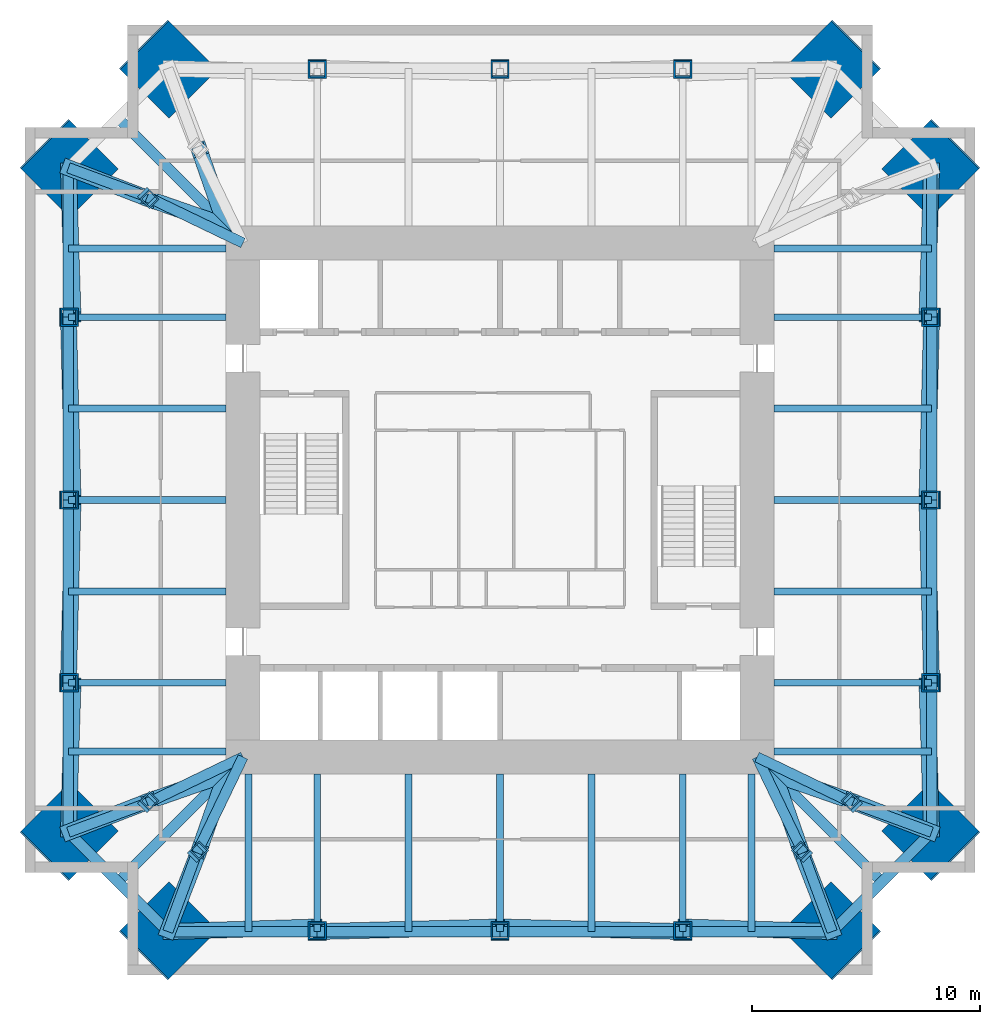
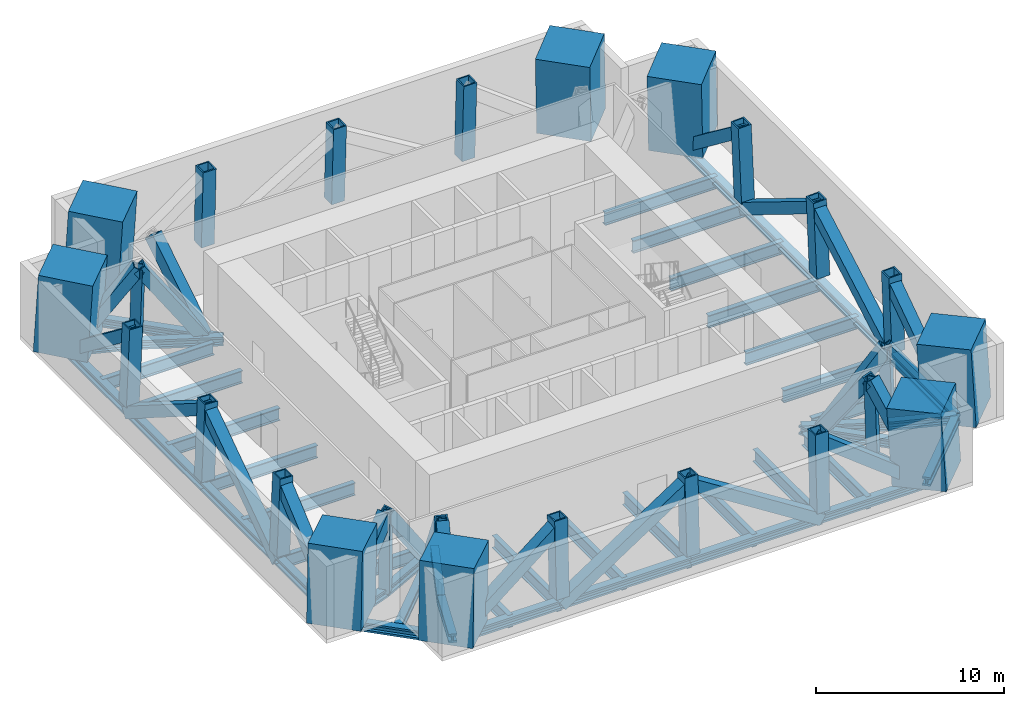
# One storey, part 1 of 6: 50 members, 26 beams, 20 columns.
"""IFC4 building model written with IfcOpenShell, lengths in metres."""

from ifc_helpers import new_model, si_unit, direction, frame, origin, origin_2d, place, context, subcontext, project, spatial, rectangle, hollow_rectangle, i_section, extrude, material, material_profile, profile_set, type_object, element, save


model = new_model("IFC4")

# Units and contexts
model_context = context("Model", 3, precision=1e-05, world=origin(), true_north=direction((0.0, 1.0)))
body_context = subcontext(model_context, "Body", "Model", "MODEL_VIEW")
ifc_project = project(units=[si_unit("LENGTHUNIT", "METRE"), si_unit("AREAUNIT", "SQUARE_METRE"), si_unit("VOLUMEUNIT", "CUBIC_METRE"), si_unit("PLANEANGLEUNIT", "RADIAN"), si_unit("MASSUNIT", "GRAM", prefix="KILO")], contexts=[model_context])

# Site, building, storey
site_placement = place(None, origin())
site = spatial("IfcSite", under=ifc_project, at=site_placement, CompositionType="ELEMENT")
building_placement = place(site_placement, origin())
building = spatial("IfcBuilding", under=site, at=building_placement, Name="Peilmerk Tower", CompositionType="ELEMENT")
storey_placement = place(building_placement, frame((0.0, 0.0, 297.800048828125)))
storey = spatial("IfcBuildingStorey", under=building, at=storey_placement, Name="L67", CompositionType="ELEMENT", Elevation=297.800048828125)

# Columns
ifc_material_1 = material(Name="Concrete C90/105", Category="concrete")
ifc_material_profile_1 = material_profile(ifc_material_1, rectangle(XDim=3.0, YDim=3.0, at=origin_2d()), Name="RC 3000x3000")
ifc_profile_set_1 = profile_set([ifc_material_profile_1], Name="Concrete C90/105")
column_type_1 = type_object("IfcColumnType", Name="MC3 3000x3000 encased mega column", PredefinedType="COLUMN", material=ifc_profile_set_1)
for number, where, z_axis, x_axis, name in (
    (1, (14.538818359375, 18.888671875, 0.0), (-0.040266583883, -0.040266583883, 0.998377285621), (0.707106781187, -0.707106781187, 0.0), "Mega column MC3 NE_N L67"),
    (2, (18.888671875, 14.538818359375, 0.0), (-0.040266583883, -0.040266583883, 0.998377285621), (0.707106781187, -0.707106781187, 0.0), "Mega column MC3 NE_E L67"),
    (3, (18.888671875, -14.538818359375, 0.0), (-0.040266583883, 0.040266583883, 0.998377285621), (-0.707106781187, -0.707106781187, 0.0), "Mega column MC3 SE_E L67"),
    (4, (14.538818359375, -18.888671875, 0.0), (-0.040266583883, 0.040266583883, 0.998377285621), (-0.707106781187, -0.707106781187, 0.0), "Mega column MC3 SE_S L67"),
    (5, (-14.538818359375, -18.888671875, 0.0), (0.040266583883, 0.040266583883, 0.998377285621), (-0.707106781187, 0.707106781187, 0.0), "Mega column MC3 SW_S L67"),
    (6, (-18.888671875, -14.538818359375, 0.0), (0.040266583883, 0.040266583883, 0.998377285621), (-0.707106781187, 0.707106781187, 0.0), "Mega column MC3 SW_W L67"),
    (7, (-18.888671875, 14.538818359375, 0.0), (0.040266583883, -0.040266583883, 0.998377285621), (0.707106781187, 0.707106781187, 0.0), "Mega column MC3 NW_W L67"),
    (8, (-14.538818359375, 18.888671875, 0.0), (0.040266583883, -0.040266583883, 0.998377285621), (0.707106781187, 0.707106781187, 0.0), "Mega column MC3 NW_N L67"),
):
    element("IfcColumn", number, at=place(storey_placement, frame(where, z_axis=z_axis, x_axis=x_axis)), inside=storey, type_object=column_type_1, Name=name, PredefinedType="COLUMN", context=body_context, shape_type="SweptSolid", body=[
        extrude(rectangle(XDim=3.0, YDim=3.0, at=origin_2d()), origin(), (0.0, 0.0, 1.0), 5.008056640625),
    ])
ifc_material_2 = material(Name="Steel S460", Category="steel")
ifc_material_profile_2 = material_profile(ifc_material_2, hollow_rectangle(XDim=0.800048828125, YDim=0.800048828125, WallThickness=0.080078125, at=origin_2d()), Name="BOX 800x800x80")
ifc_profile_set_2 = profile_set([ifc_material_profile_2], Name="Steel S460")
column_type_2 = type_object("IfcColumnType", Name="SC8 BOX 800x800x80 belt truss vertical", PredefinedType="COLUMN", material=ifc_profile_set_2)
for number, where, z_axis, x_axis, name in (
    (9, (8.0, 18.888671875, 0.0), (0.0, -0.040299267708, 0.999187654559), (1.0, 0.0, 0.0), "Belt truss vertical T3 N"),
    (10, (0.0, 18.888671875, 0.0), (0.0, -0.040299267708, 0.999187654559), (1.0, 0.0, 0.0), "Belt truss vertical T3 N"),
    (11, (-8.0, 18.888671875, 0.0), (0.0, -0.040299267708, 0.999187654559), (1.0, 0.0, 0.0), "Belt truss vertical T3 N"),
    (12, (18.888671875, -8.0, 0.0), (-0.040299267708, 0.0, 0.999187654559), (0.0, -1.0, 0.0), "Belt truss vertical T3 E"),
    (13, (18.888671875, 0.0, 0.0), (-0.040299267708, 0.0, 0.999187654559), (0.0, -1.0, 0.0), "Belt truss vertical T3 E"),
    (14, (18.888671875, 8.0, 0.0), (-0.040299267708, 0.0, 0.999187654559), (0.0, -1.0, 0.0), "Belt truss vertical T3 E"),
    (15, (-8.0, -18.888671875, 0.0), (0.0, 0.040299267708, 0.999187654559), (-1.0, 0.0, 0.0), "Belt truss vertical T3 S"),
    (16, (0.0, -18.888671875, 0.0), (0.0, 0.040299267708, 0.999187654559), (-1.0, 0.0, 0.0), "Belt truss vertical T3 S"),
    (17, (8.0, -18.888671875, 0.0), (0.0, 0.040299267708, 0.999187654559), (-1.0, 0.0, 0.0), "Belt truss vertical T3 S"),
    (18, (-18.888671875, 8.0, 0.0), (0.040299267708, 0.0, 0.999187654559), (0.0, 1.0, 0.0), "Belt truss vertical T3 W"),
    (19, (-18.888671875, 0.0, 0.0), (0.040299267708, 0.0, 0.999187654559), (0.0, 1.0, 0.0), "Belt truss vertical T3 W"),
    (20, (-18.888671875, -8.0, 0.0), (0.040299267708, 0.0, 0.999187654559), (0.0, 1.0, 0.0), "Belt truss vertical T3 W"),
):
    element("IfcColumn", number, at=place(storey_placement, frame(where, z_axis=z_axis, x_axis=x_axis)), inside=storey, type_object=column_type_2, Name=name, PredefinedType="COLUMN", context=body_context, shape_type="SweptSolid", body=[
        extrude(hollow_rectangle(XDim=0.800048828125, YDim=0.800048828125, WallThickness=0.080078125, at=origin_2d()), origin(), (0.0, 0.0, 1.0), 5.004150390625),
    ])

# Beams
ifc_material_profile_3 = material_profile(ifc_material_2, i_section(OverallWidth=0.4541015625, OverallDepth=0.569091796875, WebThickness=0.077880859375, FlangeThickness=0.125, at=origin_2d()), Name="HD 400x1086")
ifc_profile_set_3 = profile_set([ifc_material_profile_3], Name="Steel S460")
beam_type_1 = type_object("IfcBeamType", Name="B17 HD 400x1086 edge beam", PredefinedType="SPANDREL", material=ifc_profile_set_3)
for number, where, z_axis, x_axis, name in (
    (21, (18.888671875, -14.538818359375, -0.53466796875), (-0.707106781187, -0.707106781187, 0.0), (0.707106781187, -0.707106781187, 0.0), "Notch beam L67"),
    (22, (-14.538818359375, -18.888671875, -0.53466796875), (-0.707106781187, 0.707106781187, 0.0), (-0.707106781187, -0.707106781187, 0.0), "Notch beam L67"),
):
    element("IfcBeam", number, at=place(storey_placement, frame(where, z_axis=z_axis, x_axis=x_axis)), inside=storey, type_object=beam_type_1, Name=name, PredefinedType="SPANDREL", context=body_context, shape_type="SweptSolid", body=[
        extrude(i_section(OverallWidth=0.4541015625, OverallDepth=0.569091796875, WebThickness=0.077880859375, FlangeThickness=0.125, at=origin_2d()), origin(), (0.0, 0.0, 1.0), 6.151611328125),
    ])
ifc_material_profile_4 = material_profile(ifc_material_2, i_section(OverallWidth=0.302978515625, OverallDepth=0.81396484375, WebThickness=0.02099609375, FlangeThickness=0.0400390625, at=origin_2d()), Name="HEM 800")
ifc_profile_set_4 = profile_set([ifc_material_profile_4], Name="Steel S460")
beam_type_2 = type_object("IfcBeamType", Name="B26 HEM 800 floor beam", PredefinedType="BEAM", material=ifc_profile_set_4)
for number, where, z_axis, x_axis, name in (
    (23, (12.0, -11.0, -0.656982421875), (1.0, 0.0, 0.0), (0.0, 1.0, 0.0), "Floor beam L67"),
    (24, (12.0, -8.0, -0.656982421875), (1.0, 0.0, 0.0), (0.0, 1.0, 0.0), "Floor beam L67"),
    (25, (12.0, -4.0, -0.656982421875), (1.0, 0.0, 0.0), (0.0, 1.0, 0.0), "Floor beam L67"),
    (26, (12.0, 0.0, -0.656982421875), (1.0, 0.0, 0.0), (0.0, 1.0, 0.0), "Floor beam L67"),
    (27, (12.0, 4.0, -0.656982421875), (1.0, 0.0, 0.0), (0.0, 1.0, 0.0), "Floor beam L67"),
    (28, (12.0, 8.0, -0.656982421875), (1.0, 0.0, 0.0), (0.0, 1.0, 0.0), "Floor beam L67"),
    (29, (12.0, 11.0, -0.656982421875), (1.0, 0.0, 0.0), (0.0, 1.0, 0.0), "Floor beam L67"),
    (30, (-11.0, -12.0, -0.656982421875), (0.0, -1.0, 0.0), (1.0, 0.0, 0.0), "Floor beam L67"),
    (31, (-8.0, -12.0, -0.656982421875), (0.0, -1.0, 0.0), (1.0, 0.0, 0.0), "Floor beam L67"),
    (32, (-4.0, -12.0, -0.656982421875), (0.0, -1.0, 0.0), (1.0, 0.0, 0.0), "Floor beam L67"),
    (33, (0.0, -12.0, -0.656982421875), (0.0, -1.0, 0.0), (1.0, 0.0, 0.0), "Floor beam L67"),
    (34, (4.0, -12.0, -0.656982421875), (0.0, -1.0, 0.0), (1.0, 0.0, 0.0), "Floor beam L67"),
    (35, (8.0, -12.0, -0.656982421875), (0.0, -1.0, 0.0), (1.0, 0.0, 0.0), "Floor beam L67"),
    (36, (11.0, -12.0, -0.656982421875), (0.0, -1.0, 0.0), (1.0, 0.0, 0.0), "Floor beam L67"),
    (37, (-12.0, 11.0, -0.656982421875), (-1.0, 0.0, 0.0), (0.0, -1.0, 0.0), "Floor beam L67"),
    (38, (-12.0, 8.0, -0.656982421875), (-1.0, 0.0, 0.0), (0.0, -1.0, 0.0), "Floor beam L67"),
    (39, (-12.0, 4.0, -0.656982421875), (-1.0, 0.0, 0.0), (0.0, -1.0, 0.0), "Floor beam L67"),
    (40, (-12.0, 0.0, -0.656982421875), (-1.0, 0.0, 0.0), (0.0, -1.0, 0.0), "Floor beam L67"),
    (41, (-12.0, -4.0, -0.656982421875), (-1.0, 0.0, 0.0), (0.0, -1.0, 0.0), "Floor beam L67"),
    (42, (-12.0, -8.0, -0.656982421875), (-1.0, 0.0, 0.0), (0.0, -1.0, 0.0), "Floor beam L67"),
    (43, (-12.0, -11.0, -0.656982421875), (-1.0, 0.0, 0.0), (0.0, -1.0, 0.0), "Floor beam L67"),
):
    element("IfcBeam", number, at=place(storey_placement, frame(where, z_axis=z_axis, x_axis=x_axis)), inside=storey, type_object=beam_type_2, Name=name, PredefinedType="BEAM", context=body_context, shape_type="SweptSolid", body=[
        extrude(i_section(OverallWidth=0.302978515625, OverallDepth=0.81396484375, WebThickness=0.02099609375, FlangeThickness=0.0400390625, at=origin_2d()), origin(), (0.0, 0.0, 1.0), 6.888671875),
    ])
ifc_material_profile_5 = material_profile(ifc_material_2, i_section(OverallWidth=0.4541015625, OverallDepth=0.569091796875, WebThickness=0.077880859375, FlangeThickness=0.125, at=origin_2d()), Name="HD 400x1086")
ifc_profile_set_5 = profile_set([ifc_material_profile_5], Name="Steel S460")
beam_type_3 = type_object("IfcBeamType", Name="B9 HD 400x1086 corner girder", PredefinedType="BEAM", material=ifc_profile_set_5)
for number, where, z_axis, x_axis, name in (
    (44, (11.25, -11.25, -0.53466796875), (0.707106781187, -0.707106781187, 0.0), (0.707106781187, 0.707106781187, 0.0), "Corner girder L67"),
    (45, (-11.25, -11.25, -0.53466796875), (-0.707106781187, -0.707106781187, 0.0), (0.707106781187, -0.707106781187, 0.0), "Corner girder L67"),
    (46, (-11.25, 11.25, -0.53466796875), (-0.707106781187, 0.707106781187, 0.0), (-0.707106781187, -0.707106781187, 0.0), "Corner girder L67"),
):
    element("IfcBeam", number, at=place(storey_placement, frame(where, z_axis=z_axis, x_axis=x_axis)), inside=storey, type_object=beam_type_3, Name=name, PredefinedType="BEAM", context=body_context, shape_type="SweptSolid", body=[
        extrude(i_section(OverallWidth=0.4541015625, OverallDepth=0.569091796875, WebThickness=0.077880859375, FlangeThickness=0.125, at=origin_2d()), origin(), (0.0, 0.0, 1.0), 7.726806640625),
    ])

# Members
ifc_material_profile_6 = material_profile(ifc_material_2, i_section(OverallWidth=0.4541015625, OverallDepth=0.569091796875, WebThickness=0.077880859375, FlangeThickness=0.125, at=origin_2d()), Name="HD 400x1086")
ifc_profile_set_6 = profile_set([ifc_material_profile_6], Name="Steel S460")
member_type_1 = type_object("IfcMemberType", Name="M1 HD 400x1086 belt truss chord", PredefinedType="CHORD", material=ifc_profile_set_6)
member_1_placement = place(storey_placement, frame((18.888671875, -14.538818359375, -0.53466796875), z_axis=(0.0, 1.0, 0.0), x_axis=(-1.0, 0.0, 0.0)))
element("IfcMember", 47, at=member_1_placement, inside=storey, type_object=member_type_1, Name="Belt truss chord L67", PredefinedType="CHORD", context=body_context, shape_type="SweptSolid", body=[
    extrude(i_section(OverallWidth=0.4541015625, OverallDepth=0.569091796875, WebThickness=0.077880859375, FlangeThickness=0.125, at=origin_2d()), origin(), (0.0, 0.0, 1.0), 6.538818359375),
])
for number, where, z_axis, x_axis, name in (
    (48, (18.888671875, -8.0, -0.53466796875), (0.0, 1.0, 0.0), (-1.0, 0.0, 0.0), "Belt truss chord L67"),
    (49, (18.888671875, 0.0, -0.53466796875), (0.0, 1.0, 0.0), (-1.0, 0.0, 0.0), "Belt truss chord L67"),
):
    element("IfcMember", number, at=place(storey_placement, frame(where, z_axis=z_axis, x_axis=x_axis)), inside=storey, type_object=member_type_1, Name=name, PredefinedType="CHORD", context=body_context, shape_type="SweptSolid", body=[
        extrude(i_section(OverallWidth=0.4541015625, OverallDepth=0.569091796875, WebThickness=0.077880859375, FlangeThickness=0.125, at=origin_2d()), origin(), (0.0, 0.0, 1.0), 8.0),
    ])
for number, where, z_axis, x_axis, name in (
    (50, (18.888671875, 8.0, -0.53466796875), (0.0, 1.0, 0.0), (-1.0, 0.0, 0.0), "Belt truss chord L67"),
    (51, (-14.538818359375, -18.888671875, -0.53466796875), (1.0, 0.0, 0.0), (0.0, 1.0, 0.0), "Belt truss chord L67"),
):
    element("IfcMember", number, at=place(storey_placement, frame(where, z_axis=z_axis, x_axis=x_axis)), inside=storey, type_object=member_type_1, Name=name, PredefinedType="CHORD", context=body_context, shape_type="SweptSolid", body=[
        extrude(i_section(OverallWidth=0.4541015625, OverallDepth=0.569091796875, WebThickness=0.077880859375, FlangeThickness=0.125, at=origin_2d()), origin(), (0.0, 0.0, 1.0), 6.538818359375),
    ])
for number, where, z_axis, x_axis, name in (
    (52, (-8.0, -18.888671875, -0.53466796875), (1.0, 0.0, 0.0), (0.0, 1.0, 0.0), "Belt truss chord L67"),
    (53, (0.0, -18.888671875, -0.53466796875), (1.0, 0.0, 0.0), (0.0, 1.0, 0.0), "Belt truss chord L67"),
):
    element("IfcMember", number, at=place(storey_placement, frame(where, z_axis=z_axis, x_axis=x_axis)), inside=storey, type_object=member_type_1, Name=name, PredefinedType="CHORD", context=body_context, shape_type="SweptSolid", body=[
        extrude(i_section(OverallWidth=0.4541015625, OverallDepth=0.569091796875, WebThickness=0.077880859375, FlangeThickness=0.125, at=origin_2d()), origin(), (0.0, 0.0, 1.0), 8.0),
    ])
for number, where, z_axis, x_axis, name in (
    (54, (8.0, -18.888671875, -0.53466796875), (1.0, 0.0, 0.0), (0.0, 1.0, 0.0), "Belt truss chord L67"),
    (55, (-18.888671875, 14.538818359375, -0.53466796875), (0.0, -1.0, 0.0), (1.0, 0.0, 0.0), "Belt truss chord L67"),
):
    element("IfcMember", number, at=place(storey_placement, frame(where, z_axis=z_axis, x_axis=x_axis)), inside=storey, type_object=member_type_1, Name=name, PredefinedType="CHORD", context=body_context, shape_type="SweptSolid", body=[
        extrude(i_section(OverallWidth=0.4541015625, OverallDepth=0.569091796875, WebThickness=0.077880859375, FlangeThickness=0.125, at=origin_2d()), origin(), (0.0, 0.0, 1.0), 6.538818359375),
    ])
for number, where, z_axis, x_axis, name in (
    (56, (-18.888671875, 8.0, -0.53466796875), (0.0, -1.0, 0.0), (1.0, 0.0, 0.0), "Belt truss chord L67"),
    (57, (-18.888671875, 0.0, -0.53466796875), (0.0, -1.0, 0.0), (1.0, 0.0, 0.0), "Belt truss chord L67"),
):
    element("IfcMember", number, at=place(storey_placement, frame(where, z_axis=z_axis, x_axis=x_axis)), inside=storey, type_object=member_type_1, Name=name, PredefinedType="CHORD", context=body_context, shape_type="SweptSolid", body=[
        extrude(i_section(OverallWidth=0.4541015625, OverallDepth=0.569091796875, WebThickness=0.077880859375, FlangeThickness=0.125, at=origin_2d()), origin(), (0.0, 0.0, 1.0), 8.0),
    ])
member_2_placement = place(storey_placement, frame((-18.888671875, -8.0, -0.53466796875), z_axis=(0.0, -1.0, 0.0), x_axis=(1.0, 0.0, 0.0)))
element("IfcMember", 58, at=member_2_placement, inside=storey, type_object=member_type_1, Name="Belt truss chord L67", PredefinedType="CHORD", context=body_context, shape_type="SweptSolid", body=[
    extrude(i_section(OverallWidth=0.4541015625, OverallDepth=0.569091796875, WebThickness=0.077880859375, FlangeThickness=0.125, at=origin_2d()), origin(), (0.0, 0.0, 1.0), 6.538818359375),
])
member_3_placement = place(storey_placement, frame((11.25, -11.25, -0.53466796875), z_axis=(0.9010191315, -0.433779350212, 0.0), x_axis=(0.433779350212, 0.9010191315, 0.0)))
element("IfcMember", 59, at=member_3_placement, inside=storey, type_object=member_type_1, Name="Outrigger chord T3 SE", PredefinedType="CHORD", context=body_context, shape_type="SweptSolid", body=[
    extrude(i_section(OverallWidth=0.4541015625, OverallDepth=0.569091796875, WebThickness=0.077880859375, FlangeThickness=0.125, at=origin_2d()), origin(), (0.0, 0.0, 1.0), 4.655029296875),
])
member_4_placement = place(storey_placement, frame((15.4443359375, -13.269287109375, -0.53466796875), z_axis=(0.938293145002, -0.345840966403, 0.0), x_axis=(0.345840966403, 0.938293145002, 0.0)))
element("IfcMember", 60, at=member_4_placement, inside=storey, type_object=member_type_1, Name="Outrigger chord T3 SE", PredefinedType="CHORD", context=body_context, shape_type="SweptSolid", body=[
    extrude(i_section(OverallWidth=0.4541015625, OverallDepth=0.569091796875, WebThickness=0.077880859375, FlangeThickness=0.125, at=origin_2d()), origin(), (0.0, 0.0, 1.0), 3.6708984375),
])
member_5_placement = place(storey_placement, frame((11.25, -11.25, -0.53466796875), z_axis=(0.433779350212, -0.9010191315, 0.0), x_axis=(0.9010191315, 0.433779350212, 0.0)))
element("IfcMember", 61, at=member_5_placement, inside=storey, type_object=member_type_1, Name="Outrigger chord T3 SE", PredefinedType="CHORD", context=body_context, shape_type="SweptSolid", body=[
    extrude(i_section(OverallWidth=0.4541015625, OverallDepth=0.569091796875, WebThickness=0.077880859375, FlangeThickness=0.125, at=origin_2d()), origin(), (0.0, 0.0, 1.0), 4.655029296875),
])
member_6_placement = place(storey_placement, frame((13.269287109375, -15.4443359375, -0.53466796875), z_axis=(0.345840966403, -0.938293145002, 0.0), x_axis=(0.938293145002, 0.345840966403, 0.0)))
element("IfcMember", 62, at=member_6_placement, inside=storey, type_object=member_type_1, Name="Outrigger chord T3 SE", PredefinedType="CHORD", context=body_context, shape_type="SweptSolid", body=[
    extrude(i_section(OverallWidth=0.4541015625, OverallDepth=0.569091796875, WebThickness=0.077880859375, FlangeThickness=0.125, at=origin_2d()), origin(), (0.0, 0.0, 1.0), 3.6708984375),
])
member_7_placement = place(storey_placement, frame((-11.25, -11.25, -0.53466796875), z_axis=(-0.433779350212, -0.9010191315, 0.0), x_axis=(0.9010191315, -0.433779350212, 0.0)))
element("IfcMember", 63, at=member_7_placement, inside=storey, type_object=member_type_1, Name="Outrigger chord T3 SW", PredefinedType="CHORD", context=body_context, shape_type="SweptSolid", body=[
    extrude(i_section(OverallWidth=0.4541015625, OverallDepth=0.569091796875, WebThickness=0.077880859375, FlangeThickness=0.125, at=origin_2d()), origin(), (0.0, 0.0, 1.0), 4.655029296875),
])
member_8_placement = place(storey_placement, frame((-13.269287109375, -15.4443359375, -0.53466796875), z_axis=(-0.345840966403, -0.938293145002, 0.0), x_axis=(0.938293145002, -0.345840966403, 0.0)))
element("IfcMember", 64, at=member_8_placement, inside=storey, type_object=member_type_1, Name="Outrigger chord T3 SW", PredefinedType="CHORD", context=body_context, shape_type="SweptSolid", body=[
    extrude(i_section(OverallWidth=0.4541015625, OverallDepth=0.569091796875, WebThickness=0.077880859375, FlangeThickness=0.125, at=origin_2d()), origin(), (0.0, 0.0, 1.0), 3.6708984375),
])
member_9_placement = place(storey_placement, frame((-11.25, -11.25, -0.53466796875), z_axis=(-0.9010191315, -0.433779350212, 0.0), x_axis=(0.433779350212, -0.9010191315, 0.0)))
element("IfcMember", 65, at=member_9_placement, inside=storey, type_object=member_type_1, Name="Outrigger chord T3 SW", PredefinedType="CHORD", context=body_context, shape_type="SweptSolid", body=[
    extrude(i_section(OverallWidth=0.4541015625, OverallDepth=0.569091796875, WebThickness=0.077880859375, FlangeThickness=0.125, at=origin_2d()), origin(), (0.0, 0.0, 1.0), 4.655029296875),
])
member_10_placement = place(storey_placement, frame((-15.4443359375, -13.269287109375, -0.53466796875), z_axis=(-0.938293145002, -0.345840966403, 0.0), x_axis=(0.345840966403, -0.938293145002, 0.0)))
element("IfcMember", 66, at=member_10_placement, inside=storey, type_object=member_type_1, Name="Outrigger chord T3 SW", PredefinedType="CHORD", context=body_context, shape_type="SweptSolid", body=[
    extrude(i_section(OverallWidth=0.4541015625, OverallDepth=0.569091796875, WebThickness=0.077880859375, FlangeThickness=0.125, at=origin_2d()), origin(), (0.0, 0.0, 1.0), 3.6708984375),
])
member_11_placement = place(storey_placement, frame((-11.25, 11.25, -0.53466796875), z_axis=(-0.9010191315, 0.433779350212, 0.0), x_axis=(-0.433779350212, -0.9010191315, 0.0)))
element("IfcMember", 67, at=member_11_placement, inside=storey, type_object=member_type_1, Name="Outrigger chord T3 NW", PredefinedType="CHORD", context=body_context, shape_type="SweptSolid", body=[
    extrude(i_section(OverallWidth=0.4541015625, OverallDepth=0.569091796875, WebThickness=0.077880859375, FlangeThickness=0.125, at=origin_2d()), origin(), (0.0, 0.0, 1.0), 4.655029296875),
])
member_12_placement = place(storey_placement, frame((-15.4443359375, 13.269287109375, -0.53466796875), z_axis=(-0.938293145002, 0.345840966403, 0.0), x_axis=(-0.345840966403, -0.938293145002, 0.0)))
element("IfcMember", 68, at=member_12_placement, inside=storey, type_object=member_type_1, Name="Outrigger chord T3 NW", PredefinedType="CHORD", context=body_context, shape_type="SweptSolid", body=[
    extrude(i_section(OverallWidth=0.4541015625, OverallDepth=0.569091796875, WebThickness=0.077880859375, FlangeThickness=0.125, at=origin_2d()), origin(), (0.0, 0.0, 1.0), 3.6708984375),
])
ifc_material_profile_7 = material_profile(ifc_material_2, hollow_rectangle(XDim=0.60009765625, YDim=0.60009765625, WallThickness=0.06005859375, at=origin_2d()), Name="BOX 600x600x60")
ifc_profile_set_7 = profile_set([ifc_material_profile_7], Name="Steel S460")
member_type_2 = type_object("IfcMemberType", Name="M3 BOX 600x600x60 outrigger post", PredefinedType="POST", material=ifc_profile_set_7)
for number, where, z_axis, x_axis, name in (
    (69, (15.4443359375, -13.269287109375, -0.53466796875), (-0.020157819747, 0.020157819747, 0.999593579714), (-0.707106781187, -0.707106781187, 0.0), "Outrigger post T3 SE"),
    (70, (13.269287109375, -15.4443359375, -0.53466796875), (-0.020157819747, 0.020157819747, 0.999593579714), (-0.707106781187, -0.707106781187, 0.0), "Outrigger post T3 SE"),
    (71, (-13.269287109375, -15.4443359375, -0.53466796875), (0.020157819747, 0.020157819747, 0.999593579714), (-0.707106781187, 0.707106781187, 0.0), "Outrigger post T3 SW"),
    (72, (-15.4443359375, -13.269287109375, -0.53466796875), (0.020157819747, 0.020157819747, 0.999593579714), (-0.707106781187, 0.707106781187, 0.0), "Outrigger post T3 SW"),
    (73, (-15.4443359375, 13.269287109375, -0.53466796875), (0.020157819747, -0.020157819747, 0.999593579714), (0.707106781187, 0.707106781187, 0.0), "Outrigger post T3 NW"),
):
    element("IfcMember", number, at=place(storey_placement, frame(where, z_axis=z_axis, x_axis=x_axis)), inside=storey, type_object=member_type_2, Name=name, PredefinedType="POST", context=body_context, shape_type="SweptSolid", body=[
        extrude(hollow_rectangle(XDim=0.60009765625, YDim=0.60009765625, WallThickness=0.06005859375, at=origin_2d()), origin(), (0.0, 0.0, 1.0), 5.001953125),
    ])
ifc_material_profile_8 = material_profile(ifc_material_2, hollow_rectangle(XDim=0.699951171875, YDim=0.699951171875, WallThickness=0.080078125, at=origin_2d()), Name="BOX 700x700x80")
ifc_profile_set_8 = profile_set([ifc_material_profile_8], Name="Steel S460")
member_type_3 = type_object("IfcMemberType", Name="M4 BOX 700x700x80 outrigger diagonal", PredefinedType="BRACE", material=ifc_profile_set_8)
member_13_placement = place(storey_placement, frame((18.888671875, -14.538818359375, -0.53466796875), z_axis=(-0.024491504359, 0.79413554631, 0.607246984596), x_axis=(-0.999524772037, -0.030825802252, 0.0)))
element("IfcMember", 74, at=member_13_placement, inside=storey, type_object=member_type_3, Name="Belt truss diagonal T3 E", PredefinedType="BRACE", context=body_context, shape_type="SweptSolid", body=[
    extrude(hollow_rectangle(XDim=0.699951171875, YDim=0.699951171875, WallThickness=0.080078125, at=origin_2d()), origin(), (0.0, 0.0, 1.0), 8.23388671875),
])
for number, where, z_axis, x_axis, name in (
    (75, (18.888671875, -8.0, -0.53466796875), (-0.021371051825, 0.847804632209, 0.529877895131), (-0.999682441808, -0.025199514677, 0.0), "Belt truss diagonal T3 E"),
    (76, (18.888671875, 8.0, -0.53466796875), (-0.021371051825, -0.847804632209, 0.529877895131), (0.999682441808, -0.025199514677, 0.0), "Belt truss diagonal T3 E"),
):
    element("IfcMember", number, at=place(storey_placement, frame(where, z_axis=z_axis, x_axis=x_axis)), inside=storey, type_object=member_type_3, Name=name, PredefinedType="BRACE", context=body_context, shape_type="SweptSolid", body=[
        extrude(hollow_rectangle(XDim=0.699951171875, YDim=0.699951171875, WallThickness=0.080078125, at=origin_2d()), origin(), (0.0, 0.0, 1.0), 9.43603515625),
    ])
for number, where, z_axis, x_axis, name in (
    (77, (18.888671875, 14.538818359375, -0.53466796875), (-0.024491504359, -0.79413554631, 0.607246984596), (0.999524772037, -0.030825802252, 0.0), "Belt truss diagonal T3 E"),
    (78, (-14.538818359375, -18.888671875, -0.53466796875), (0.79413554631, 0.024491504359, 0.607246984596), (-0.030825802252, 0.999524772037, 0.0), "Belt truss diagonal T3 S"),
):
    element("IfcMember", number, at=place(storey_placement, frame(where, z_axis=z_axis, x_axis=x_axis)), inside=storey, type_object=member_type_3, Name=name, PredefinedType="BRACE", context=body_context, shape_type="SweptSolid", body=[
        extrude(hollow_rectangle(XDim=0.699951171875, YDim=0.699951171875, WallThickness=0.080078125, at=origin_2d()), origin(), (0.0, 0.0, 1.0), 8.23388671875),
    ])
for number, where, z_axis, x_axis, name in (
    (79, (-8.0, -18.888671875, -0.53466796875), (0.847804632209, 0.021371051825, 0.529877895131), (-0.025199514677, 0.999682441808, 0.0), "Belt truss diagonal T3 S"),
    (80, (8.0, -18.888671875, -0.53466796875), (-0.847804632209, 0.021371051825, 0.529877895131), (-0.025199514677, -0.999682441808, 0.0), "Belt truss diagonal T3 S"),
):
    element("IfcMember", number, at=place(storey_placement, frame(where, z_axis=z_axis, x_axis=x_axis)), inside=storey, type_object=member_type_3, Name=name, PredefinedType="BRACE", context=body_context, shape_type="SweptSolid", body=[
        extrude(hollow_rectangle(XDim=0.699951171875, YDim=0.699951171875, WallThickness=0.080078125, at=origin_2d()), origin(), (0.0, 0.0, 1.0), 9.43603515625),
    ])
for number, where, z_axis, x_axis, name in (
    (81, (14.538818359375, -18.888671875, -0.53466796875), (-0.79413554631, 0.024491504359, 0.607246984596), (-0.030825802252, -0.999524772037, 0.0), "Belt truss diagonal T3 S"),
    (82, (-18.888671875, 14.538818359375, -0.53466796875), (0.024491504359, -0.79413554631, 0.607246984596), (0.999524772037, 0.030825802252, 0.0), "Belt truss diagonal T3 W"),
):
    element("IfcMember", number, at=place(storey_placement, frame(where, z_axis=z_axis, x_axis=x_axis)), inside=storey, type_object=member_type_3, Name=name, PredefinedType="BRACE", context=body_context, shape_type="SweptSolid", body=[
        extrude(hollow_rectangle(XDim=0.699951171875, YDim=0.699951171875, WallThickness=0.080078125, at=origin_2d()), origin(), (0.0, 0.0, 1.0), 8.23388671875),
    ])
for number, where, z_axis, x_axis, name in (
    (83, (-18.888671875, 8.0, -0.53466796875), (0.021371051825, -0.847804632209, 0.529877895131), (0.999682441808, 0.025199514677, 0.0), "Belt truss diagonal T3 W"),
    (84, (-18.888671875, -8.0, -0.53466796875), (0.021371051825, 0.847804632209, 0.529877895131), (-0.999682441808, 0.025199514677, 0.0), "Belt truss diagonal T3 W"),
):
    element("IfcMember", number, at=place(storey_placement, frame(where, z_axis=z_axis, x_axis=x_axis)), inside=storey, type_object=member_type_3, Name=name, PredefinedType="BRACE", context=body_context, shape_type="SweptSolid", body=[
        extrude(hollow_rectangle(XDim=0.699951171875, YDim=0.699951171875, WallThickness=0.080078125, at=origin_2d()), origin(), (0.0, 0.0, 1.0), 9.43603515625),
    ])
member_14_placement = place(storey_placement, frame((-18.888671875, -14.538818359375, -0.53466796875), z_axis=(0.024491504359, 0.79413554631, 0.607246984596), x_axis=(-0.999524772037, 0.030825802252, 0.0)))
element("IfcMember", 85, at=member_14_placement, inside=storey, type_object=member_type_3, Name="Belt truss diagonal T3 W", PredefinedType="BRACE", context=body_context, shape_type="SweptSolid", body=[
    extrude(hollow_rectangle(XDim=0.699951171875, YDim=0.699951171875, WallThickness=0.080078125, at=origin_2d()), origin(), (0.0, 0.0, 1.0), 8.23388671875),
])
member_15_placement = place(storey_placement, frame((12.0, -12.0, -0.53466796875), z_axis=(0.545669837476, -0.190695570804, 0.816014477656), x_axis=(0.329905174718, 0.944014076004, 0.0)))
element("IfcMember", 86, at=member_15_placement, inside=storey, type_object=member_type_3, Name="Outrigger diagonal T3", PredefinedType="BRACE", context=body_context, shape_type="SweptSolid", body=[
    extrude(hollow_rectangle(XDim=0.699951171875, YDim=0.699951171875, WallThickness=0.080078125, at=origin_2d()), origin(), (0.0, 0.0, 1.0), 6.12744140625),
])
member_16_placement = place(storey_placement, frame((18.888671875, -14.538818359375, -0.53466796875), z_axis=(-0.564461836529, 0.218189125297, 0.796100710152), x_axis=(-0.360545352967, -0.932741683669, 0.0)))
element("IfcMember", 87, at=member_16_placement, inside=storey, type_object=member_type_3, Name="Outrigger diagonal T3", PredefinedType="BRACE", context=body_context, shape_type="SweptSolid", body=[
    extrude(hollow_rectangle(XDim=0.699951171875, YDim=0.699951171875, WallThickness=0.080078125, at=origin_2d()), origin(), (0.0, 0.0, 1.0), 6.280517578125),
])
member_17_placement = place(storey_placement, frame((12.0, -12.0, -0.53466796875), z_axis=(0.190695570804, -0.545669837476, 0.816014477656), x_axis=(0.944014076004, 0.329905174718, 0.0)))
element("IfcMember", 88, at=member_17_placement, inside=storey, type_object=member_type_3, Name="Outrigger diagonal T3", PredefinedType="BRACE", context=body_context, shape_type="SweptSolid", body=[
    extrude(hollow_rectangle(XDim=0.699951171875, YDim=0.699951171875, WallThickness=0.080078125, at=origin_2d()), origin(), (0.0, 0.0, 1.0), 6.12744140625),
])
member_18_placement = place(storey_placement, frame((14.538818359375, -18.888671875, -0.53466796875), z_axis=(-0.218189125297, 0.564461836529, 0.796100710152), x_axis=(-0.932741683669, -0.360545352967, 0.0)))
element("IfcMember", 89, at=member_18_placement, inside=storey, type_object=member_type_3, Name="Outrigger diagonal T3", PredefinedType="BRACE", context=body_context, shape_type="SweptSolid", body=[
    extrude(hollow_rectangle(XDim=0.699951171875, YDim=0.699951171875, WallThickness=0.080078125, at=origin_2d()), origin(), (0.0, 0.0, 1.0), 6.280517578125),
])
member_19_placement = place(storey_placement, frame((-12.0, -12.0, -0.53466796875), z_axis=(-0.190695570804, -0.545669837476, 0.816014477656), x_axis=(0.944014076004, -0.329905174718, 0.0)))
element("IfcMember", 90, at=member_19_placement, inside=storey, type_object=member_type_3, Name="Outrigger diagonal T3", PredefinedType="BRACE", context=body_context, shape_type="SweptSolid", body=[
    extrude(hollow_rectangle(XDim=0.699951171875, YDim=0.699951171875, WallThickness=0.080078125, at=origin_2d()), origin(), (0.0, 0.0, 1.0), 6.12744140625),
])
member_20_placement = place(storey_placement, frame((-14.538818359375, -18.888671875, -0.53466796875), z_axis=(0.218189125297, 0.564461836529, 0.796100710152), x_axis=(-0.932741683669, 0.360545352967, 0.0)))
element("IfcMember", 91, at=member_20_placement, inside=storey, type_object=member_type_3, Name="Outrigger diagonal T3", PredefinedType="BRACE", context=body_context, shape_type="SweptSolid", body=[
    extrude(hollow_rectangle(XDim=0.699951171875, YDim=0.699951171875, WallThickness=0.080078125, at=origin_2d()), origin(), (0.0, 0.0, 1.0), 6.280517578125),
])
member_21_placement = place(storey_placement, frame((-12.0, -12.0, -0.53466796875), z_axis=(-0.545669837476, -0.190695570804, 0.816014477656), x_axis=(0.329905174718, -0.944014076004, 0.0)))
element("IfcMember", 92, at=member_21_placement, inside=storey, type_object=member_type_3, Name="Outrigger diagonal T3", PredefinedType="BRACE", context=body_context, shape_type="SweptSolid", body=[
    extrude(hollow_rectangle(XDim=0.699951171875, YDim=0.699951171875, WallThickness=0.080078125, at=origin_2d()), origin(), (0.0, 0.0, 1.0), 6.12744140625),
])
member_22_placement = place(storey_placement, frame((-18.888671875, -14.538818359375, -0.53466796875), z_axis=(0.564461836529, 0.218189125297, 0.796100710152), x_axis=(-0.360545352967, 0.932741683669, 0.0)))
element("IfcMember", 93, at=member_22_placement, inside=storey, type_object=member_type_3, Name="Outrigger diagonal T3", PredefinedType="BRACE", context=body_context, shape_type="SweptSolid", body=[
    extrude(hollow_rectangle(XDim=0.699951171875, YDim=0.699951171875, WallThickness=0.080078125, at=origin_2d()), origin(), (0.0, 0.0, 1.0), 6.280517578125),
])
for number, where, z_axis, x_axis, name in (
    (94, (-12.0, 12.0, -0.53466796875), (-0.190695570804, 0.545669837476, 0.816014477656), (-0.944014076004, -0.329905174718, 0.0), "Outrigger diagonal T3"),
    (95, (-12.0, 12.0, -0.53466796875), (-0.545669837476, 0.190695570804, 0.816014477656), (-0.329905174718, -0.944014076004, 0.0), "Outrigger diagonal T3"),
):
    element("IfcMember", number, at=place(storey_placement, frame(where, z_axis=z_axis, x_axis=x_axis)), inside=storey, type_object=member_type_3, Name=name, PredefinedType="BRACE", context=body_context, shape_type="SweptSolid", body=[
        extrude(hollow_rectangle(XDim=0.699951171875, YDim=0.699951171875, WallThickness=0.080078125, at=origin_2d()), origin(), (0.0, 0.0, 1.0), 6.12744140625),
    ])
member_23_placement = place(storey_placement, frame((-18.888671875, 14.538818359375, -0.53466796875), z_axis=(0.564461836529, -0.218189125297, 0.796100710152), x_axis=(0.360545352967, 0.932741683669, 0.0)))
element("IfcMember", 96, at=member_23_placement, inside=storey, type_object=member_type_3, Name="Outrigger diagonal T3", PredefinedType="BRACE", context=body_context, shape_type="SweptSolid", body=[
    extrude(hollow_rectangle(XDim=0.699951171875, YDim=0.699951171875, WallThickness=0.080078125, at=origin_2d()), origin(), (0.0, 0.0, 1.0), 6.280517578125),
])

save(model, "model.ifc")
